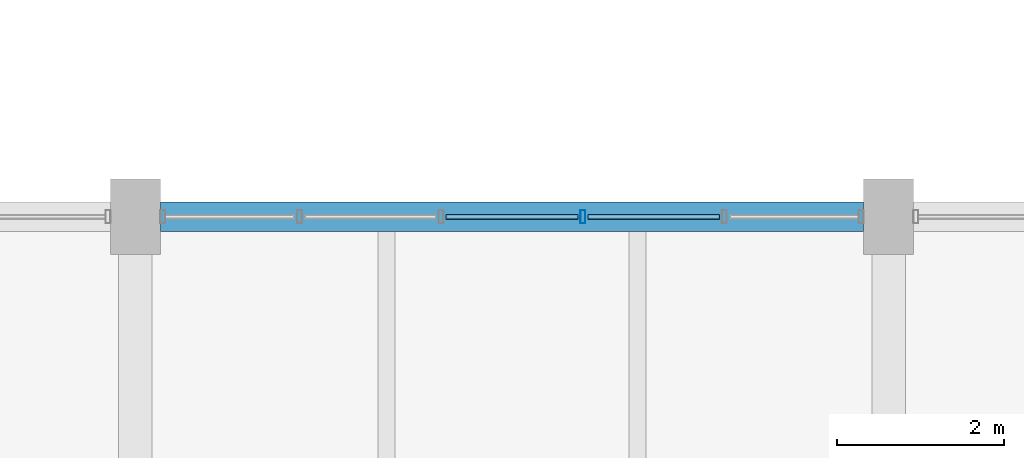
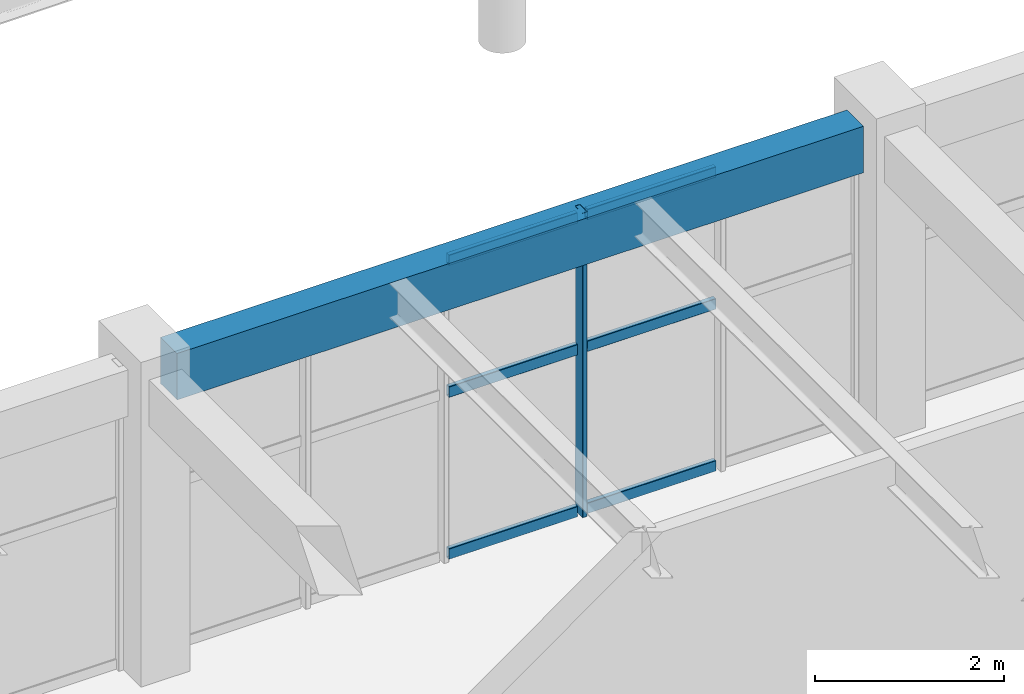
# One storey, part 17 of 148: 7 members, 1 beam, 1 element without a shape of its own.
"""IFC4 building model written with IfcOpenShell, lengths in metres."""

from ifc_helpers import new_model, si_unit, derived_unit, direction, frame, origin, origin_2d, place, context, subcontext, project, spatial, rectangle, hollow_rectangle, extrude, material, material_profile, profile_set, type_object, element, aggregate, save


model = new_model("IFC4")

# Units and contexts
model_context = context("Model", 3, precision=1e-05, world=origin(), true_north=direction((0.0, 1.0)))
body_context = subcontext(model_context, "Body", "Model", "MODEL_VIEW")
ifc_project = project(units=[si_unit("LENGTHUNIT", "METRE"), si_unit("AREAUNIT", "SQUARE_METRE"), si_unit("VOLUMEUNIT", "CUBIC_METRE"), si_unit("PLANEANGLEUNIT", "RADIAN"), si_unit("MASSUNIT", "GRAM", prefix="KILO"), derived_unit("THERMALTRANSMITTANCEUNIT", [(si_unit("MASSUNIT", "GRAM", prefix="KILO"), 1), (si_unit("TIMEUNIT", "SECOND"), -3), (si_unit("THERMODYNAMICTEMPERATUREUNIT", "KELVIN"), -1)])], contexts=[model_context])

# Site, building, storey
site_placement = place(None, origin())
site = spatial("IfcSite", under=ifc_project, at=site_placement, CompositionType="ELEMENT")
building_placement = place(site_placement, origin())
building = spatial("IfcBuilding", under=site, at=building_placement, Name="Zhenchuan Archway Interchange", CompositionType="ELEMENT")
storey_placement = place(building_placement, frame((0.0, 0.0, 10.199951171875)))
storey = spatial("IfcBuildingStorey", under=building, at=storey_placement, Name="L02", CompositionType="ELEMENT", Elevation=10.199951171875)

# Curtain wall, members
ifc_material_1 = material(Name="Anodised Aluminium", Category="aluminium")
curtain_wall_type = type_object("IfcCurtainWallType", Name="CW_UNIT_1", PredefinedType="NOTDEFINED", material=ifc_material_1)
curtain_wall_placement = place(storey_placement, origin())
curtain_wall = element("IfcCurtainWall", 1, at=curtain_wall_placement, inside=storey, type_object=curtain_wall_type, Name="Unitised curtain wall CW:L02:112", PredefinedType="NOTDEFINED")
ifc_material_profile_1 = material_profile(ifc_material_1, hollow_rectangle(XDim=0.06005859375, YDim=0.159912109375, WallThickness=0.00390625, InnerFilletRadius=0.00390625, OuterFilletRadius=0.008056640625, at=origin_2d()), Name="ALU 160x60x4")
ifc_profile_set_1 = profile_set([ifc_material_profile_1], Name="Anodised Aluminium")
member_type_1 = type_object("IfcMemberType", Name="CW_MUL_150", PredefinedType="MULLION", material=ifc_profile_set_1)
member_1_placement = place(storey_placement, frame((14.346435546875, 16.0, 0.0), z_axis=(0.0, 0.0, 1.0), x_axis=(1.0, 0.0, 0.0)))
member_1 = element("IfcMember", 2, at=member_1_placement, type_object=member_type_1, Name="CW:L02:112 mullion 3", PredefinedType="MULLION", context=body_context, shape_type="SweptSolid", body=[
    extrude(hollow_rectangle(XDim=0.06005859375, YDim=0.159912109375, WallThickness=0.00390625, InnerFilletRadius=0.00390625, OuterFilletRadius=0.008056640625, at=origin_2d()), origin(), (0.0, 0.0, 1.0), 3.93994140625),
])
ifc_material_profile_2 = material_profile(ifc_material_1, hollow_rectangle(XDim=0.06005859375, YDim=0.139892578125, WallThickness=0.00341796875, InnerFilletRadius=0.00341796875, OuterFilletRadius=0.007080078125, at=origin_2d()), Name="ALU 140x60x3.5")
ifc_profile_set_2 = profile_set([ifc_material_profile_2], Name="Anodised Aluminium")
member_type_2 = type_object("IfcMemberType", Name="CW_TRN_140", PredefinedType="USERDEFINED", material=ifc_profile_set_2)
member_2_placement = place(storey_placement, frame((12.713623046875, 16.0, 0.06005859375), z_axis=(1.0, 0.0, 0.0), x_axis=(0.0, 1.0, 0.0)))
member_2 = element("IfcMember", 3, at=member_2_placement, type_object=member_type_2, Name="CW:L02:112 transom 2-1", ObjectType="TRANSOM", PredefinedType="USERDEFINED", context=body_context, shape_type="SweptSolid", body=[
    extrude(hollow_rectangle(XDim=0.06005859375, YDim=0.139892578125, WallThickness=0.00341796875, InnerFilletRadius=0.00341796875, OuterFilletRadius=0.007080078125, at=origin_2d()), origin(), (0.0, 0.0, 1.0), 1.57275390625),
])
member_3_placement = place(storey_placement, frame((12.713623046875, 16.0, 2.156005859375), z_axis=(1.0, 0.0, 0.0), x_axis=(0.0, 1.0, 0.0)))
member_3 = element("IfcMember", 4, at=member_3_placement, type_object=member_type_2, Name="CW:L02:112 transom 2-2", ObjectType="TRANSOM", PredefinedType="USERDEFINED", context=body_context, shape_type="SweptSolid", body=[
    extrude(hollow_rectangle(XDim=0.06005859375, YDim=0.139892578125, WallThickness=0.00341796875, InnerFilletRadius=0.00341796875, OuterFilletRadius=0.007080078125, at=origin_2d()), origin(), (0.0, 0.0, 1.0), 1.57275390625),
])
member_4_placement = place(storey_placement, frame((12.713623046875, 16.0, 3.860107421875), z_axis=(1.0, 0.0, 0.0), x_axis=(0.0, 1.0, 0.0)))
member_4 = element("IfcMember", 5, at=member_4_placement, type_object=member_type_2, Name="CW:L02:112 transom 2-3", ObjectType="TRANSOM", PredefinedType="USERDEFINED", context=body_context, shape_type="SweptSolid", body=[
    extrude(hollow_rectangle(XDim=0.06005859375, YDim=0.139892578125, WallThickness=0.00341796875, InnerFilletRadius=0.00341796875, OuterFilletRadius=0.007080078125, at=origin_2d()), origin(), (0.0, 0.0, 1.0), 1.57275390625),
])
member_5_placement = place(storey_placement, frame((14.406494140625, 16.0, 0.06005859375), z_axis=(1.0, 0.0, 0.0), x_axis=(0.0, 1.0, 0.0)))
member_5 = element("IfcMember", 6, at=member_5_placement, type_object=member_type_2, Name="CW:L02:112 transom 3-1", ObjectType="TRANSOM", PredefinedType="USERDEFINED", context=body_context, shape_type="SweptSolid", body=[
    extrude(hollow_rectangle(XDim=0.06005859375, YDim=0.139892578125, WallThickness=0.00341796875, InnerFilletRadius=0.00341796875, OuterFilletRadius=0.007080078125, at=origin_2d()), origin(), (0.0, 0.0, 1.0), 1.57275390625),
])
member_6_placement = place(storey_placement, frame((14.406494140625, 16.0, 2.156005859375), z_axis=(1.0, 0.0, 0.0), x_axis=(0.0, 1.0, 0.0)))
member_6 = element("IfcMember", 7, at=member_6_placement, type_object=member_type_2, Name="CW:L02:112 transom 3-2", ObjectType="TRANSOM", PredefinedType="USERDEFINED", context=body_context, shape_type="SweptSolid", body=[
    extrude(hollow_rectangle(XDim=0.06005859375, YDim=0.139892578125, WallThickness=0.00341796875, InnerFilletRadius=0.00341796875, OuterFilletRadius=0.007080078125, at=origin_2d()), origin(), (0.0, 0.0, 1.0), 1.57275390625),
])
member_7_placement = place(storey_placement, frame((14.406494140625, 16.0, 3.860107421875), z_axis=(1.0, 0.0, 0.0), x_axis=(0.0, 1.0, 0.0)))
member_7 = element("IfcMember", 8, at=member_7_placement, type_object=member_type_2, Name="CW:L02:112 transom 3-3", ObjectType="TRANSOM", PredefinedType="USERDEFINED", context=body_context, shape_type="SweptSolid", body=[
    extrude(hollow_rectangle(XDim=0.06005859375, YDim=0.139892578125, WallThickness=0.00341796875, InnerFilletRadius=0.00341796875, OuterFilletRadius=0.007080078125, at=origin_2d()), origin(), (0.0, 0.0, 1.0), 1.57275390625),
])
aggregate(curtain_wall, [member_1, member_2, member_3, member_4, member_5, member_6, member_7])

# Beam
ifc_material_2 = material(Name="Concrete C40", Category="concrete")
ifc_material_profile_3 = material_profile(ifc_material_2, rectangle(XDim=0.35009765625, YDim=0.60009765625, at=origin_2d()), Name="RC 350x600")
ifc_profile_set_3 = profile_set([ifc_material_profile_3], Name="Concrete C40")
beam_type = type_object("IfcBeamType", Name="SP_RC_350x600", PredefinedType="SPANDREL", material=ifc_profile_set_3)
beam_placement = place(storey_placement, frame((9.300048828125, 16.0, 3.64013671875), z_axis=(1.0, 0.0, 0.0), x_axis=(0.0, 1.0, 0.0)))
element("IfcBeam", 9, at=beam_placement, inside=storey, type_object=beam_type, Name="Beam C:2-3 (L02)", PredefinedType="SPANDREL", context=body_context, shape_type="SweptSolid", body=[
    extrude(rectangle(XDim=0.35009765625, YDim=0.60009765625, at=origin_2d()), origin(), (0.0, 0.0, 1.0), 8.39990234375),
])

save(model, "model.ifc")
